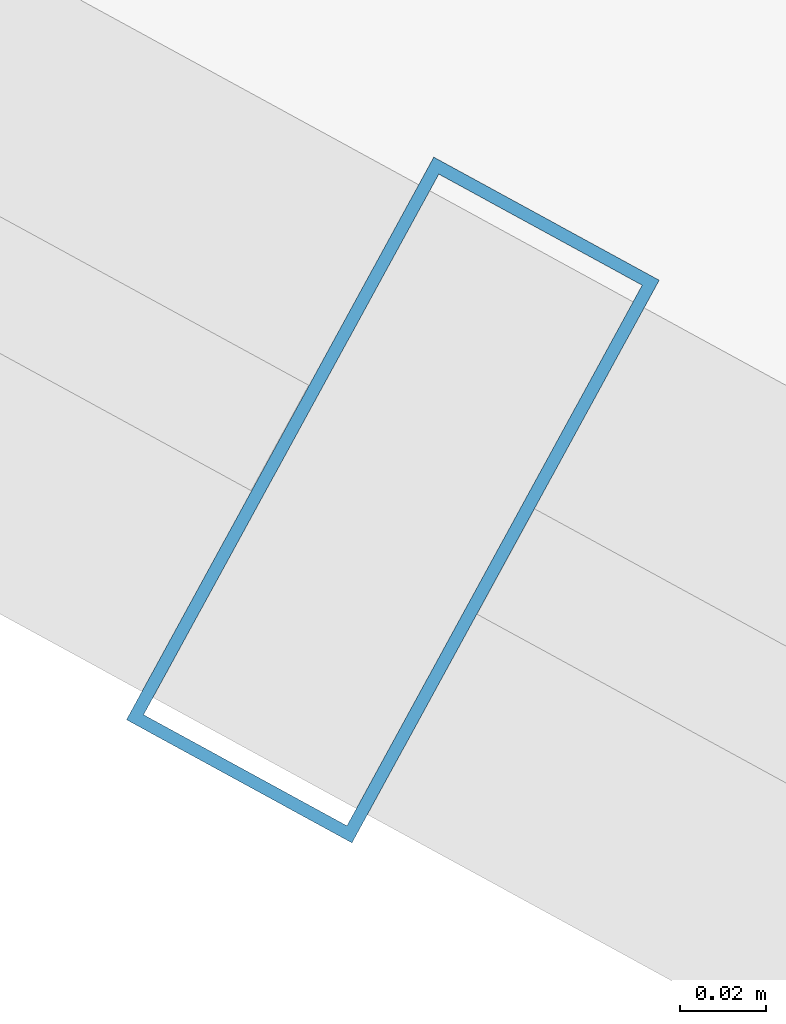
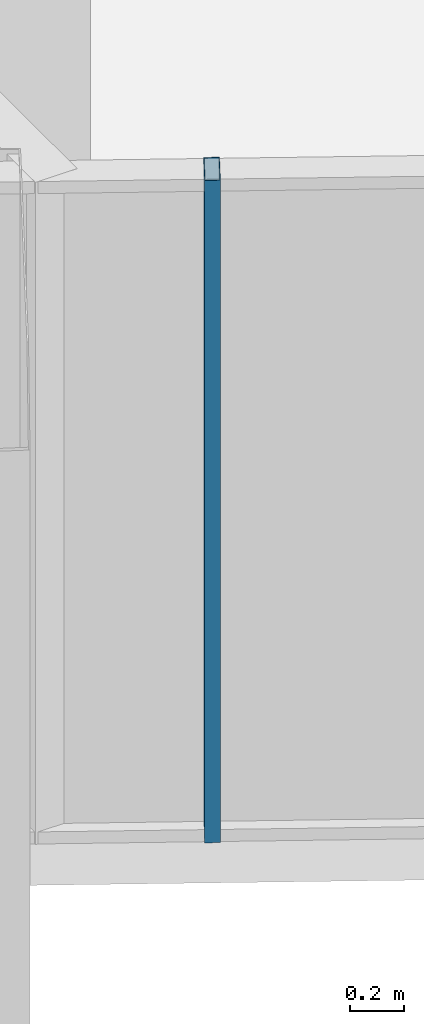
# One storey, part 4 of 32: 1 member, 1 element without a shape of its own.
"""IFC4 building model written with IfcOpenShell, lengths in metres."""

import ifcopenshell
import ifcopenshell.guid

model = None  # the IFC model being written
_history = None  # IfcOwnerHistory: only IFC2X3 demands one
_inside = {}  # id of a spatial element -> (the spatial element, [elements in it])
_under = {}  # id of a project, library or spatial element -> (it, [spatial elements below it])
_declared = {}  # id of a project -> (the project, [libraries it declares])
_typed = {}  # id of a type object -> (the type object, [elements of that type])
_made_of = {}  # id of a material, layer set ... -> (it, [elements and type objects made of it])


def new_model(schema):
    """Start an empty IFC model of exactly this schema.

    Asked for "IFC4X3", IfcOpenShell would pick the latest addendum, in which some entities
    have other attributes; the version numbers below select the first issue.
    IFC2X3 requires an IfcOwnerHistory on every rooted entity: one is made here for all.
    """
    global model, _history
    if schema == "IFC4X3":
        model = ifcopenshell.file(schema_version=(4, 3, 0, 0))
    else:
        model = ifcopenshell.file(schema=schema)
    _inside.clear()
    _under.clear()
    _declared.clear()
    _typed.clear()
    _made_of.clear()
    _history = None
    if model.schema == "IFC2X3":
        org = make("IfcOrganization", Name="unknown")
        user = make(
            "IfcPersonAndOrganization",
            ThePerson=make("IfcPerson", FamilyName="unknown"),
            TheOrganization=org,
        )
        app = make(
            "IfcApplication",
            ApplicationDeveloper=org,
            Version="unknown",
            ApplicationFullName="unknown",
            ApplicationIdentifier="unknown",
        )
        _history = make(
            "IfcOwnerHistory",
            OwningUser=user,
            OwningApplication=app,
            ChangeAction="ADDED",
            CreationDate=0,
        )
    return model


def make(cls, **values):
    """One entity of the class cls with the attributes given. An attribute that is None is left unset."""
    return model.create_entity(
        cls, **{name: value for name, value in values.items() if value is not None}
    )


def rooted(cls, **values):
    """An entity with a GlobalId (a new one), such as an element, a storey or a relation."""
    return make(cls, GlobalId=ifcopenshell.guid.new(), OwnerHistory=_history, **values)


def si_unit(unit_type, name, prefix=None):
    """IfcSIUnit, for example si_unit("LENGTHUNIT", "METRE", prefix="MILLI")."""
    return make("IfcSIUnit", UnitType=unit_type, Prefix=prefix, Name=name)


def assignment(units):
    """IfcUnitAssignment: the units of a project."""
    return None if units is None else make("IfcUnitAssignment", Units=units)


def point(xyz):
    """IfcCartesianPoint."""
    return None if xyz is None else make("IfcCartesianPoint", Coordinates=xyz)


def direction(xyz):
    """IfcDirection."""
    return None if xyz is None else make("IfcDirection", DirectionRatios=xyz)


def frame(location, z_axis=None, x_axis=None):
    """IfcAxis2Placement3D, a coordinate frame: its origin and axes. An axis left out is left unset."""
    return make(
        "IfcAxis2Placement3D",
        Location=point(location),
        Axis=direction(z_axis),
        RefDirection=direction(x_axis),
    )


def frame_2d(location, x_axis=None):
    """IfcAxis2Placement2D, a coordinate frame in the plane: its origin and x axis."""
    return make(
        "IfcAxis2Placement2D", Location=point(location), RefDirection=direction(x_axis)
    )


def origin():
    """The frame at (0, 0, 0) with its axes left unset."""
    return frame((0.0, 0.0, 0.0))


def origin_2d():
    """The frame at (0, 0) in the plane with its x axis left unset."""
    return frame_2d((0.0, 0.0))


def place(relative_to, where):
    """IfcLocalPlacement: puts the frame where relative to a parent placement (None: the world)."""
    return make(
        "IfcLocalPlacement", PlacementRelTo=relative_to, RelativePlacement=where
    )


def context(
    kind, dimensions, precision=None, world=None, true_north=None, identifier=None
):
    """IfcGeometricRepresentationContext, for example the 3D "Model" context."""
    return make(
        "IfcGeometricRepresentationContext",
        ContextIdentifier=identifier,
        ContextType=kind,
        CoordinateSpaceDimension=dimensions,
        Precision=precision,
        WorldCoordinateSystem=world,
        TrueNorth=true_north,
    )


def subcontext(parent, identifier, kind, view, scale=None):
    """IfcGeometricRepresentationSubContext, for example "Body" below "Model"."""
    return make(
        "IfcGeometricRepresentationSubContext",
        ContextIdentifier=identifier,
        ContextType=kind,
        ParentContext=parent,
        TargetScale=scale,
        TargetView=view,
    )


def project(units=None, contexts=None):
    """IfcProject with its units and contexts."""
    return rooted(
        "IfcProject",
        Name="project",
        RepresentationContexts=contexts,
        UnitsInContext=assignment(units),
    )


def spatial(cls, under=None, at=None, **own):
    """A site, building, storey or space (cls), placed at a placement, below another one or the project."""
    s = rooted(cls, ObjectPlacement=at, **own)
    if under is not None:
        _under.setdefault(under.id(), (under, []))[1].append(s)
    return s


def profile(cls, at=None, kind="AREA", **sizes):
    """A parametric profile (cls). Its sizes go by their IFC names, for example OverallWidth=200.0."""
    return make(cls, ProfileType=kind, Position=at, **sizes)


def hollow_rectangle(**sizes):
    """IfcRectangleHollowProfileDef."""
    return profile("IfcRectangleHollowProfileDef", **sizes)


def extrude(swept, where, along, depth):
    """IfcExtrudedAreaSolid: the profile swept, set in the frame where, extruded along a direction by depth."""
    return make(
        "IfcExtrudedAreaSolid",
        SweptArea=swept,
        Position=where,
        ExtrudedDirection=direction(along),
        Depth=depth,
    )


def shape(context_of_items, identifier, shape_type, items):
    """IfcShapeRepresentation: the items that make up one representation, for example the "Body"."""
    return make(
        "IfcShapeRepresentation",
        ContextOfItems=context_of_items,
        RepresentationIdentifier=identifier,
        RepresentationType=shape_type,
        Items=items,
    )


def source(mapping_origin, context_of_items, identifier, shape_type, items):
    """IfcRepresentationMap: a shape defined once, which mapped items show again and again."""
    return make(
        "IfcRepresentationMap",
        MappingOrigin=mapping_origin,
        MappedRepresentation=shape(context_of_items, identifier, shape_type, items),
    )


def transform(
    local_origin,
    x_axis=None,
    y_axis=None,
    z_axis=None,
    scale=None,
    scale2=None,
    scale3=None,
    uniform=True,
):
    """IfcCartesianTransformationOperator3D, or its non-uniform kind. x_axis, y_axis, z_axis: its Axis1, 2, 3."""
    if uniform:
        return make(
            "IfcCartesianTransformationOperator3D",
            Axis1=direction(x_axis),
            Axis2=direction(y_axis),
            LocalOrigin=point(local_origin),
            Scale=scale,
            Axis3=direction(z_axis),
        )
    return make(
        "IfcCartesianTransformationOperator3DnonUniform",
        Axis1=direction(x_axis),
        Axis2=direction(y_axis),
        LocalOrigin=point(local_origin),
        Scale=scale,
        Axis3=direction(z_axis),
        Scale2=scale2,
        Scale3=scale3,
    )


def mapped(mapping_source, mapping_target):
    """IfcMappedItem: shows the shape of a source again, moved by a transform."""
    return make(
        "IfcMappedItem", MappingSource=mapping_source, MappingTarget=mapping_target
    )


def material(Name=None, Category=None):
    """IfcMaterial."""
    return make("IfcMaterial", Name=Name, Category=Category)


def layer(
    of_material, thickness, ventilated=None, Name=None, Category=None, Priority=None
):
    """IfcMaterialLayer: one layer of a wall or slab, of a material (None: an air gap)."""
    return make(
        "IfcMaterialLayer",
        Material=of_material,
        LayerThickness=thickness,
        IsVentilated=ventilated,
        Name=Name,
        Category=Category,
        Priority=Priority,
    )


def layer_set(layers, Name=None):
    """IfcMaterialLayerSet."""
    return make("IfcMaterialLayerSet", MaterialLayers=layers, LayerSetName=Name)


def material_profile(
    of_material, cross_section, Name=None, Category=None, Priority=None
):
    """IfcMaterialProfile: a cross section and its material."""
    return make(
        "IfcMaterialProfile",
        Name=Name,
        Material=of_material,
        Profile=cross_section,
        Priority=Priority,
        Category=Category,
    )


def profile_set(profiles, Name=None, composite=None):
    """IfcMaterialProfileSet."""
    return make(
        "IfcMaterialProfileSet",
        Name=Name,
        MaterialProfiles=profiles,
        CompositeProfile=composite,
    )


def made_of(thing, what):
    """Note that an element or type object is made of a material, layer set ...; save() writes the relation."""
    if what is not None:
        _made_of.setdefault(what.id(), (what, []))[1].append(thing)
    return thing


def type_object(cls, material=None, **own):
    """A type object (cls), such as IfcWallType, which elements share."""
    return made_of(rooted(cls, **own), material)


def element(
    cls,
    number,
    at=None,
    inside=None,
    cuts=None,
    type_object=None,
    material=None,
    context=None,
    identifier="Body",
    shape_type=None,
    held_by="IfcProductDefinitionShape",
    body=None,
    shapes=None,
    **own,
):
    """One element of the class cls, such as IfcWall. Its Tag is "e" and its number.

    at: its placement. inside: the storey or other place that contains it. cuts: it is an
    opening in that element (IfcRelVoidsElement). A single representation is given by context,
    identifier, shape_type and body (its items); several are given by shapes. held_by: the class
    of the entity that holds the representations. save() writes the other relations.
    """
    e = rooted(cls, Tag="e%d" % number, ObjectPlacement=at, **own)
    if body is not None:
        shapes = [shape(context, identifier, shape_type, body)]
    if shapes is not None:
        e.Representation = make(held_by, Representations=shapes)
    if inside is not None:
        _inside.setdefault(inside.id(), (inside, []))[1].append(e)
    if cuts is not None:
        rooted(
            "IfcRelVoidsElement", RelatingBuildingElement=cuts, RelatedOpeningElement=e
        )
    if type_object is not None:
        _typed.setdefault(type_object.id(), (type_object, []))[1].append(e)
    return made_of(e, material)


def aggregate(whole, parts):
    """IfcRelAggregates: a whole, such as a stair, and the parts it consists of."""
    return rooted("IfcRelAggregates", RelatingObject=whole, RelatedObjects=parts)


def save(model, path):
    """Write the relations noted so far, then the file.

    IfcRelAggregates (storeys below a building ...), IfcRelContainedInSpatialStructure (elements
    in a storey), IfcRelDefinesByType, IfcRelAssociatesMaterial and IfcRelDeclares: one each for
    every whole, place, type object, material and project.
    """
    for whole, parts in _under.values():
        aggregate(whole, parts)
    for where, things in _inside.values():
        rooted(
            "IfcRelContainedInSpatialStructure",
            RelatedElements=things,
            RelatingStructure=where,
        )
    for kind, things in _typed.values():
        rooted("IfcRelDefinesByType", RelatedObjects=things, RelatingType=kind)
    for what, things in _made_of.values():
        rooted("IfcRelAssociatesMaterial", RelatedObjects=things, RelatingMaterial=what)
    for by, libraries in _declared.values():
        rooted("IfcRelDeclares", RelatingContext=by, RelatedDefinitions=libraries)
    model.write(path)


model = new_model("IFC4")

# Units and contexts
model_context = context("Model", 3, precision=1e-05, world=origin(), true_north=direction((0.0, 1.0)))
body_context = subcontext(model_context, "Body", "Model", "MODEL_VIEW")
ifc_project = project(units=[si_unit("LENGTHUNIT", "METRE"), si_unit("AREAUNIT", "SQUARE_METRE"), si_unit("VOLUMEUNIT", "CUBIC_METRE"), si_unit("PLANEANGLEUNIT", "RADIAN"), si_unit("MASSUNIT", "GRAM", prefix="KILO")], contexts=[model_context])

# Site, building, storey
site_placement = place(None, origin())
site = spatial("IfcSite", under=ifc_project, at=site_placement, CompositionType="ELEMENT")
building_placement = place(site_placement, origin())
building = spatial("IfcBuilding", under=site, at=building_placement, Name="Veraguas Prism Commons", CompositionType="ELEMENT")
storey_placement = place(building_placement, frame((0.0, 0.0, 201.60009765625)))
storey = spatial("IfcBuildingStorey", under=building, at=storey_placement, Name="L57", CompositionType="ELEMENT", Elevation=201.60009765625)

# Curtain wall, member
ifc_material = material(Name="Anodised aluminium EN AW-6063 T6", Category="aluminium")
ifc_layer = layer(ifc_material, 0.14990234375, Name="Unitised Flush Curtain Wall Zone 3", Category="aluminium")
ifc_layer_set = layer_set([ifc_layer], Name="Anodised aluminium EN AW-6063 T6")
curtain_wall_type = type_object("IfcCurtainWallType", Name="Unitised Flush Curtain Wall Zone 3", PredefinedType="NOTDEFINED", material=ifc_layer_set)
curtain_wall_placement = place(storey_placement, origin())
curtain_wall = element("IfcCurtainWall", 1, at=curtain_wall_placement, inside=storey, type_object=curtain_wall_type, Name="Tower Facade Curtain Wall L57-F4", PredefinedType="NOTDEFINED")
ifc_material_profile = material_profile(ifc_material, hollow_rectangle(XDim=0.06005859375, YDim=0.14990234375, WallThickness=0.0029296875, at=origin_2d()), Name="AL60X150X3")
ifc_profile_set = profile_set([ifc_material_profile], Name="Anodised aluminium EN AW-6063 T6")
member_type = type_object("IfcMemberType", Name="Curtain Wall Mullion Upper AL 60x150x3", PredefinedType="MULLION", material=ifc_profile_set)
shared_shape = source(origin(), body_context, "Body", "SweptSolid", [
    extrude(hollow_rectangle(XDim=0.06005859375, YDim=0.14990234375, WallThickness=0.0029296875, at=origin_2d()), origin(), (0.0, 0.0, 1.0), 3.014892578125),
])
member_placement = place(storey_placement, frame((19.00048828125, 6.551025390625, 0.0), z_axis=(0.0, 0.0, 1.0), x_axis=(0.877646898441, -0.479307752553, 0.0)))
member = element("IfcMember", 2, at=member_placement, type_object=member_type, Name="CW-Z3 Mullion 4", PredefinedType="MULLION", context=body_context, shape_type="MappedRepresentation", body=[
    mapped(shared_shape, transform((0.0, 0.0, 0.0), scale=1.0)),
])
aggregate(curtain_wall, [member])

save(model, "model.ifc")
